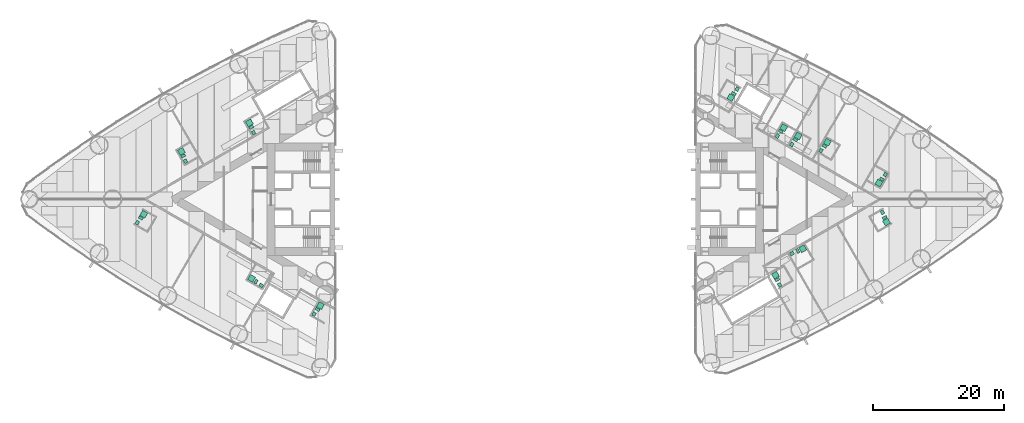
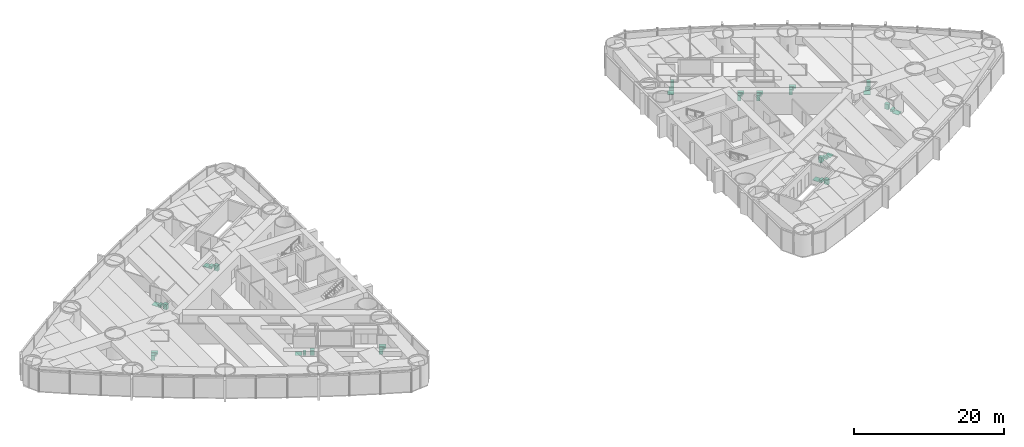
# One storey, part 18 of 18: 17 sanitary terminals.
"""IFC4 building model written with IfcOpenShell, lengths in metres."""

from ifc_helpers import new_model, si_unit, direction, frame, origin, origin_2d, place, context, subcontext, project, spatial, rectangle, extrude, material, type_object, element, save


model = new_model("IFC4")

# Units and contexts
model_context = context("Model", 3, precision=1e-05, world=origin(), true_north=direction((0.0, 1.0)))
body_context = subcontext(model_context, "Body", "Model", "MODEL_VIEW")
ifc_project = project(units=[si_unit("LENGTHUNIT", "METRE"), si_unit("AREAUNIT", "SQUARE_METRE"), si_unit("VOLUMEUNIT", "CUBIC_METRE"), si_unit("PLANEANGLEUNIT", "RADIAN"), si_unit("MASSUNIT", "GRAM", prefix="KILO")], contexts=[model_context])

# Site, building, storey
site_placement = place(None, origin())
site = spatial("IfcSite", under=ifc_project, at=site_placement, CompositionType="ELEMENT")
building_placement = place(site_placement, origin())
building = spatial("IfcBuilding", under=site, at=building_placement, Name="Lancet Gate Hotel", CompositionType="ELEMENT")
storey_placement = place(building_placement, frame((0.0, 0.0, 42.5)))
storey = spatial("IfcBuildingStorey", under=building, at=storey_placement, Name="L10", CompositionType="ELEMENT", Elevation=42.5)

# Sanitary terminals
ifc_material_1 = material(Name="Vitreous china sanitary ware")
sanitary_terminal_type_1 = type_object("IfcSanitaryTerminalType", Name="En-suite sanitary set (shower, WC, basin)", PredefinedType="USERDEFINED", material=ifc_material_1)
sanitary_terminal_1_placement = place(storey_placement, frame((-50.99169921875, 7.2958984375, 0.0), z_axis=(0.0, 0.0, 1.0), x_axis=(1.0, 0.0, 0.0)))
element("IfcSanitaryTerminal", 1, at=sanitary_terminal_1_placement, inside=storey, type_object=sanitary_terminal_type_1, Name="En-suite sanitary set (shower, WC, basin) 1003", ObjectType="EN-SUITE SANITARY SET", PredefinedType="USERDEFINED", context=body_context, shape_type="SweptSolid", body=[
    extrude(rectangle(XDim=0.89990234375, YDim=0.89990234375, at=origin_2d()), frame((0.0, 0.0, 0.0), z_axis=(0.0, 0.0, 1.0), x_axis=(-0.5, 0.866025403784, 0.0)), (0.0, 0.0, 1.0), 0.050048828125),
    extrude(rectangle(XDim=0.39990234375, YDim=0.699951171875, at=origin_2d()), frame((0.278564453125, -0.682373046875, 0.0), z_axis=(0.0, 0.0, 1.0), x_axis=(-0.5, 0.866025403784, 0.0)), (0.0, 0.0, 1.0), 0.39990234375),
    extrude(rectangle(XDim=0.60009765625, YDim=0.5, at=origin_2d()), frame((0.6318359375, -1.494384765625, 0.0), z_axis=(0.0, 0.0, 1.0), x_axis=(-0.5, 0.866025403784, 0.0)), (0.0, 0.0, 1.0), 0.85009765625),
])
sanitary_terminal_2_placement = place(storey_placement, frame((-56.745849609375, -2.28759765625, 0.0), z_axis=(0.0, 0.0, 1.0), x_axis=(1.0, 0.0, 0.0)))
element("IfcSanitaryTerminal", 2, at=sanitary_terminal_2_placement, inside=storey, type_object=sanitary_terminal_type_1, Name="En-suite sanitary set (shower, WC, basin) 1005", ObjectType="EN-SUITE SANITARY SET", PredefinedType="USERDEFINED", context=body_context, shape_type="SweptSolid", body=[
    extrude(rectangle(XDim=0.89990234375, YDim=0.89990234375, at=origin_2d()), frame((0.0, 0.0, 0.0), z_axis=(0.0, 0.0, 1.0), x_axis=(0.5, 0.866025403784, 0.0)), (0.0, 0.0, 1.0), 0.050048828125),
    extrude(rectangle(XDim=0.39990234375, YDim=0.699951171875, at=origin_2d()), frame((-0.45166015625, -0.582275390625, 0.0), z_axis=(0.0, 0.0, 1.0), x_axis=(0.5, 0.866025403784, 0.0)), (0.0, 0.0, 1.0), 0.39990234375),
    extrude(rectangle(XDim=0.60009765625, YDim=0.5, at=origin_2d()), frame((-0.978271484375, -1.29443359375, 0.0), z_axis=(0.0, 0.0, 1.0), x_axis=(0.5, 0.866025403784, 0.0)), (0.0, 0.0, 1.0), 0.85009765625),
])
sanitary_terminal_3_placement = place(storey_placement, frame((-40.609619140625, 11.673095703125, 0.0), z_axis=(0.0, 0.0, 1.0), x_axis=(1.0, 0.0, 0.0)))
element("IfcSanitaryTerminal", 3, at=sanitary_terminal_3_placement, inside=storey, type_object=sanitary_terminal_type_1, Name="En-suite sanitary set (shower, WC, basin) 1002", ObjectType="EN-SUITE SANITARY SET", PredefinedType="USERDEFINED", context=body_context, shape_type="SweptSolid", body=[
    extrude(rectangle(XDim=0.89990234375, YDim=0.89990234375, at=origin_2d()), frame((0.0, 0.0, 0.0), z_axis=(0.0, 0.0, 1.0), x_axis=(-0.5, 0.866025403784, 0.0)), (0.0, 0.0, 1.0), 0.050048828125),
    extrude(rectangle(XDim=0.39990234375, YDim=0.699951171875, at=origin_2d()), frame((0.2783203125, -0.68212890625, 0.0), z_axis=(0.0, 0.0, 1.0), x_axis=(-0.5, 0.866025403784, 0.0)), (0.0, 0.0, 1.0), 0.39990234375),
    extrude(rectangle(XDim=0.60009765625, YDim=0.5, at=origin_2d()), frame((0.6318359375, -1.494140625, 0.0), z_axis=(0.0, 0.0, 1.0), x_axis=(-0.5, 0.866025403784, 0.0)), (0.0, 0.0, 1.0), 0.85009765625),
])
sanitary_terminal_4_placement = place(storey_placement, frame((-29.751708984375, -16.256103515625, 0.0), z_axis=(0.0, 0.0, 1.0), x_axis=(1.0, 0.0, 0.0)))
element("IfcSanitaryTerminal", 4, at=sanitary_terminal_4_placement, inside=storey, type_object=sanitary_terminal_type_1, Name="En-suite sanitary set (shower, WC, basin) 1008", ObjectType="EN-SUITE SANITARY SET", PredefinedType="USERDEFINED", context=body_context, shape_type="SweptSolid", body=[
    extrude(rectangle(XDim=0.89990234375, YDim=0.89990234375, at=origin_2d()), frame((0.0, 0.0, 0.0), z_axis=(0.0, 0.0, 1.0), x_axis=(0.5, 0.866025403784, 0.0)), (0.0, 0.0, 1.0), 0.050048828125),
    extrude(rectangle(XDim=0.39990234375, YDim=0.699951171875, at=origin_2d()), frame((-0.45166015625, -0.582275390625, 0.0), z_axis=(0.0, 0.0, 1.0), x_axis=(0.5, 0.866025403784, 0.0)), (0.0, 0.0, 1.0), 0.39990234375),
    extrude(rectangle(XDim=0.60009765625, YDim=0.5, at=origin_2d()), frame((-0.978271484375, -1.29443359375, 0.0), z_axis=(0.0, 0.0, 1.0), x_axis=(0.5, 0.866025403784, 0.0)), (0.0, 0.0, 1.0), 0.85009765625),
])
sanitary_terminal_5_placement = place(storey_placement, frame((56.7138671875, -3.4921875, 0.0), z_axis=(0.0, 0.0, 1.0), x_axis=(1.0, 0.0, 0.0)))
element("IfcSanitaryTerminal", 5, at=sanitary_terminal_5_placement, inside=storey, type_object=sanitary_terminal_type_1, Name="En-suite sanitary set (shower, WC, basin) 1056", ObjectType="EN-SUITE SANITARY SET", PredefinedType="USERDEFINED", context=body_context, shape_type="SweptSolid", body=[
    extrude(rectangle(XDim=0.89990234375, YDim=0.89990234375, at=origin_2d()), frame((0.0, 0.0, 0.0), z_axis=(0.0, 0.0, 1.0), x_axis=(0.5, -0.866025403784, 0.0)), (0.0, 0.0, 1.0), 0.050048828125),
    extrude(rectangle(XDim=0.39990234375, YDim=0.699951171875, at=origin_2d()), frame((-0.278564453125, 0.682373046875, 0.0), z_axis=(0.0, 0.0, 1.0), x_axis=(0.5, -0.866025403784, 0.0)), (0.0, 0.0, 1.0), 0.39990234375),
    extrude(rectangle(XDim=0.60009765625, YDim=0.5, at=origin_2d()), frame((-0.6318359375, 1.494384765625, 0.0), z_axis=(0.0, 0.0, 1.0), x_axis=(0.5, -0.866025403784, 0.0)), (0.0, 0.0, 1.0), 0.85009765625),
])
sanitary_terminal_6_placement = place(storey_placement, frame((55.549560546875, 2.478515625, 0.0), z_axis=(0.0, 0.0, 1.0), x_axis=(1.0, 0.0, 0.0)))
element("IfcSanitaryTerminal", 6, at=sanitary_terminal_6_placement, inside=storey, type_object=sanitary_terminal_type_1, Name="En-suite sanitary set (shower, WC, basin) 1058", ObjectType="EN-SUITE SANITARY SET", PredefinedType="USERDEFINED", context=body_context, shape_type="SweptSolid", body=[
    extrude(rectangle(XDim=0.89990234375, YDim=0.89990234375, at=origin_2d()), frame((0.0, 0.0, 0.0), z_axis=(0.0, 0.0, 1.0), x_axis=(-0.5, -0.866025403784, 0.0)), (0.0, 0.0, 1.0), 0.050048828125),
    extrude(rectangle(XDim=0.39990234375, YDim=0.699951171875, at=origin_2d()), frame((0.45166015625, 0.58203125, 0.0), z_axis=(0.0, 0.0, 1.0), x_axis=(-0.5, -0.866025403784, 0.0)), (0.0, 0.0, 1.0), 0.39990234375),
    extrude(rectangle(XDim=0.60009765625, YDim=0.5, at=origin_2d()), frame((0.97802734375, 1.294189453125, 0.0), z_axis=(0.0, 0.0, 1.0), x_axis=(-0.5, -0.866025403784, 0.0)), (0.0, 0.0, 1.0), 0.85009765625),
])
sanitary_terminal_7_placement = place(storey_placement, frame((47.676513671875, 8.709716796875, 0.0), z_axis=(0.0, 0.0, 1.0), x_axis=(1.0, 0.0, 0.0)))
element("IfcSanitaryTerminal", 7, at=sanitary_terminal_7_placement, inside=storey, type_object=sanitary_terminal_type_1, Name="En-suite sanitary set (shower, WC, basin) 1059", ObjectType="EN-SUITE SANITARY SET", PredefinedType="USERDEFINED", context=body_context, shape_type="SweptSolid", body=[
    extrude(rectangle(XDim=0.89990234375, YDim=0.89990234375, at=origin_2d()), frame((0.0, 0.0, 0.0), z_axis=(0.0, 0.0, 1.0), x_axis=(0.5, 0.866025403784, 0.0)), (0.0, 0.0, 1.0), 0.050048828125),
    extrude(rectangle(XDim=0.39990234375, YDim=0.699951171875, at=origin_2d()), frame((-0.45166015625, -0.582275390625, 0.0), z_axis=(0.0, 0.0, 1.0), x_axis=(0.5, 0.866025403784, 0.0)), (0.0, 0.0, 1.0), 0.39990234375),
    extrude(rectangle(XDim=0.60009765625, YDim=0.5, at=origin_2d()), frame((-0.978271484375, -1.29443359375, 0.0), z_axis=(0.0, 0.0, 1.0), x_axis=(0.5, 0.866025403784, 0.0)), (0.0, 0.0, 1.0), 0.85009765625),
])
sanitary_terminal_8_placement = place(storey_placement, frame((43.220947265625, 9.66552734375, 0.0), z_axis=(0.0, 0.0, 1.0), x_axis=(1.0, 0.0, 0.0)))
element("IfcSanitaryTerminal", 8, at=sanitary_terminal_8_placement, inside=storey, type_object=sanitary_terminal_type_1, Name="En-suite sanitary set (shower, WC, basin) 1061", ObjectType="EN-SUITE SANITARY SET", PredefinedType="USERDEFINED", context=body_context, shape_type="SweptSolid", body=[
    extrude(rectangle(XDim=0.89990234375, YDim=0.89990234375, at=origin_2d()), frame((0.0, 0.0, 0.0), z_axis=(0.0, 0.0, 1.0), x_axis=(0.5, 0.866025403784, 0.0)), (0.0, 0.0, 1.0), 0.050048828125),
    extrude(rectangle(XDim=0.39990234375, YDim=0.699951171875, at=origin_2d()), frame((-0.45166015625, -0.58203125, 0.0), z_axis=(0.0, 0.0, 1.0), x_axis=(0.5, 0.866025403784, 0.0)), (0.0, 0.0, 1.0), 0.39990234375),
    extrude(rectangle(XDim=0.60009765625, YDim=0.5, at=origin_2d()), frame((-0.978271484375, -1.294189453125, 0.0), z_axis=(0.0, 0.0, 1.0), x_axis=(0.5, 0.866025403784, 0.0)), (0.0, 0.0, 1.0), 0.85009765625),
])
sanitary_terminal_9_placement = place(storey_placement, frame((41.0126953125, 10.940673828125, 0.0), z_axis=(0.0, 0.0, 1.0), x_axis=(1.0, 0.0, 0.0)))
element("IfcSanitaryTerminal", 9, at=sanitary_terminal_9_placement, inside=storey, type_object=sanitary_terminal_type_1, Name="En-suite sanitary set (shower, WC, basin) 1062", ObjectType="EN-SUITE SANITARY SET", PredefinedType="USERDEFINED", context=body_context, shape_type="SweptSolid", body=[
    extrude(rectangle(XDim=0.89990234375, YDim=0.89990234375, at=origin_2d()), frame((0.0, 0.0, 0.0), z_axis=(0.0, 0.0, 1.0), x_axis=(0.5, 0.866025403784, 0.0)), (0.0, 0.0, 1.0), 0.050048828125),
    extrude(rectangle(XDim=0.39990234375, YDim=0.699951171875, at=origin_2d()), frame((-0.45166015625, -0.582275390625, 0.0), z_axis=(0.0, 0.0, 1.0), x_axis=(0.5, 0.866025403784, 0.0)), (0.0, 0.0, 1.0), 0.39990234375),
    extrude(rectangle(XDim=0.60009765625, YDim=0.5, at=origin_2d()), frame((-0.978271484375, -1.29443359375, 0.0), z_axis=(0.0, 0.0, 1.0), x_axis=(0.5, 0.866025403784, 0.0)), (0.0, 0.0, 1.0), 0.85009765625),
])
sanitary_terminal_10_placement = place(storey_placement, frame((39.74853515625, -11.60107421875, 0.0), z_axis=(0.0, 0.0, 1.0), x_axis=(1.0, 0.0, 0.0)))
element("IfcSanitaryTerminal", 10, at=sanitary_terminal_10_placement, inside=storey, type_object=sanitary_terminal_type_1, Name="En-suite sanitary set (shower, WC, basin) 1053", ObjectType="EN-SUITE SANITARY SET", PredefinedType="USERDEFINED", context=body_context, shape_type="SweptSolid", body=[
    extrude(rectangle(XDim=0.89990234375, YDim=0.89990234375, at=origin_2d()), frame((0.0, 0.0, 0.0), z_axis=(0.0, 0.0, 1.0), x_axis=(-0.5, 0.866025403784, 0.0)), (0.0, 0.0, 1.0), 0.050048828125),
    extrude(rectangle(XDim=0.39990234375, YDim=0.699951171875, at=origin_2d()), frame((0.2783203125, -0.68212890625, 0.0), z_axis=(0.0, 0.0, 1.0), x_axis=(-0.5, 0.866025403784, 0.0)), (0.0, 0.0, 1.0), 0.39990234375),
    extrude(rectangle(XDim=0.60009765625, YDim=0.5, at=origin_2d()), frame((0.6318359375, -1.494384765625, 0.0), z_axis=(0.0, 0.0, 1.0), x_axis=(-0.5, 0.866025403784, 0.0)), (0.0, 0.0, 1.0), 0.85009765625),
])
sanitary_terminal_11_placement = place(storey_placement, frame((32.923828125, 15.541259765625, 0.0), z_axis=(0.0, 0.0, 1.0), x_axis=(1.0, 0.0, 0.0)))
element("IfcSanitaryTerminal", 11, at=sanitary_terminal_11_placement, inside=storey, type_object=sanitary_terminal_type_1, Name="En-suite sanitary set (shower, WC, basin) 1064", ObjectType="EN-SUITE SANITARY SET", PredefinedType="USERDEFINED", context=body_context, shape_type="SweptSolid", body=[
    extrude(rectangle(XDim=0.89990234375, YDim=0.89990234375, at=origin_2d()), frame((0.0, 0.0, 0.0), z_axis=(0.0, 0.0, 1.0), x_axis=(-0.5, -0.866025403784, 0.0)), (0.0, 0.0, 1.0), 0.050048828125),
    extrude(rectangle(XDim=0.39990234375, YDim=0.699951171875, at=origin_2d()), frame((0.45166015625, 0.582275390625, 0.0), z_axis=(0.0, 0.0, 1.0), x_axis=(-0.5, -0.866025403784, 0.0)), (0.0, 0.0, 1.0), 0.39990234375),
    extrude(rectangle(XDim=0.60009765625, YDim=0.5, at=origin_2d()), frame((0.978271484375, 1.29443359375, 0.0), z_axis=(0.0, 0.0, 1.0), x_axis=(-0.5, -0.866025403784, 0.0)), (0.0, 0.0, 1.0), 0.85009765625),
])
ifc_material_2 = material(Name="Stone resin shower tray", Category="masonry")
sanitary_terminal_type_2 = type_object("IfcSanitaryTerminalType", Name="Shower tray 900", PredefinedType="SHOWER", material=ifc_material_2)
for number, where, z_axis, x_axis, name in (
    (12, (-40.2763671875, -12.0966796875, 0.0), (0.0, 0.0, 1.0), (-0.866025403784, 0.5, 0.0), "Shower tray 900 1007"),
    (13, (43.928466796875, -7.5712890625, 0.0), (0.0, 0.0, 1.0), (0.866025403784, 0.5, 0.0), "Shower tray 900 1054"),
):
    element("IfcSanitaryTerminal", number, at=place(storey_placement, frame(where, z_axis=z_axis, x_axis=x_axis)), inside=storey, type_object=sanitary_terminal_type_2, Name=name, PredefinedType="SHOWER", context=body_context, shape_type="SweptSolid", body=[
        extrude(rectangle(XDim=0.89990234375, YDim=0.89990234375, at=origin_2d()), origin(), (0.0, 0.0, 1.0), 0.050048828125),
    ])
ifc_material_3 = material(Name="Vitreous china sanitary ware")
sanitary_terminal_type_3 = type_object("IfcSanitaryTerminalType", Name="Vanity basin 600", PredefinedType="WASHHANDBASIN", material=ifc_material_3)
for number, where, z_axis, x_axis, name in (
    (14, (-38.808837890625, -13.1748046875, 0.0), (0.0, 0.0, 1.0), (-0.866025403784, 0.5, 0.0), "Vanity basin 600 1007"),
    (15, (42.260986328125, -8.302978515625, 0.0), (0.0, 0.0, 1.0), (0.866025403784, 0.5, 0.0), "Vanity basin 600 1054"),
):
    element("IfcSanitaryTerminal", number, at=place(storey_placement, frame(where, z_axis=z_axis, x_axis=x_axis)), inside=storey, type_object=sanitary_terminal_type_3, Name=name, PredefinedType="WASHHANDBASIN", context=body_context, shape_type="SweptSolid", body=[
        extrude(rectangle(XDim=0.60009765625, YDim=0.5, at=origin_2d()), origin(), (0.0, 0.0, 1.0), 0.85009765625),
    ])
ifc_material_4 = material(Name="Vitreous china sanitary ware")
sanitary_terminal_type_4 = type_object("IfcSanitaryTerminalType", Name="WC pan wall hung", PredefinedType="TOILETPAN", material=ifc_material_4)
for number, where, z_axis, x_axis, name in (
    (16, (-39.607421875, -12.59814453125, 0.0), (0.0, 0.0, 1.0), (-0.866025403784, 0.5, 0.0), "WC pan wall hung 1007"),
    (17, (43.15966796875, -7.899658203125, 0.0), (0.0, 0.0, 1.0), (0.866025403784, 0.5, 0.0), "WC pan wall hung 1054"),
):
    element("IfcSanitaryTerminal", number, at=place(storey_placement, frame(where, z_axis=z_axis, x_axis=x_axis)), inside=storey, type_object=sanitary_terminal_type_4, Name=name, PredefinedType="TOILETPAN", context=body_context, shape_type="SweptSolid", body=[
        extrude(rectangle(XDim=0.39990234375, YDim=0.699951171875, at=origin_2d()), origin(), (0.0, 0.0, 1.0), 0.39990234375),
    ])

save(model, "model.ifc")
